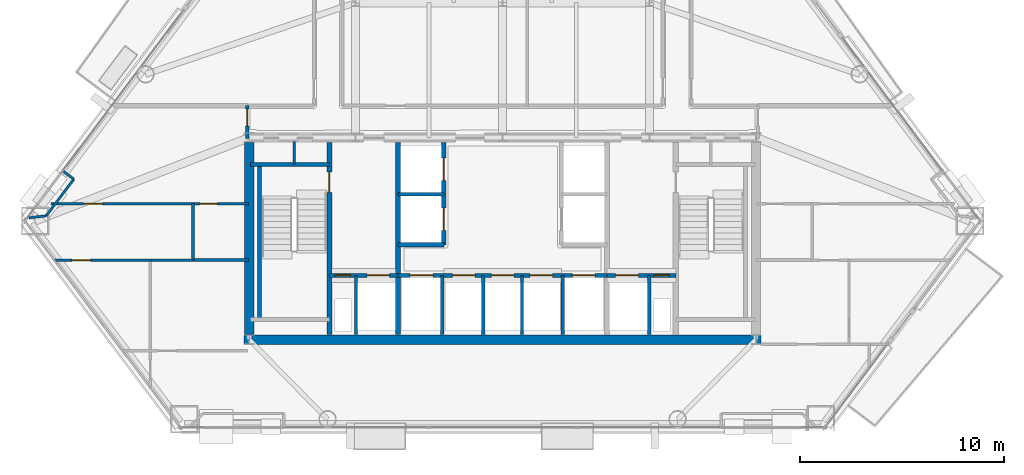
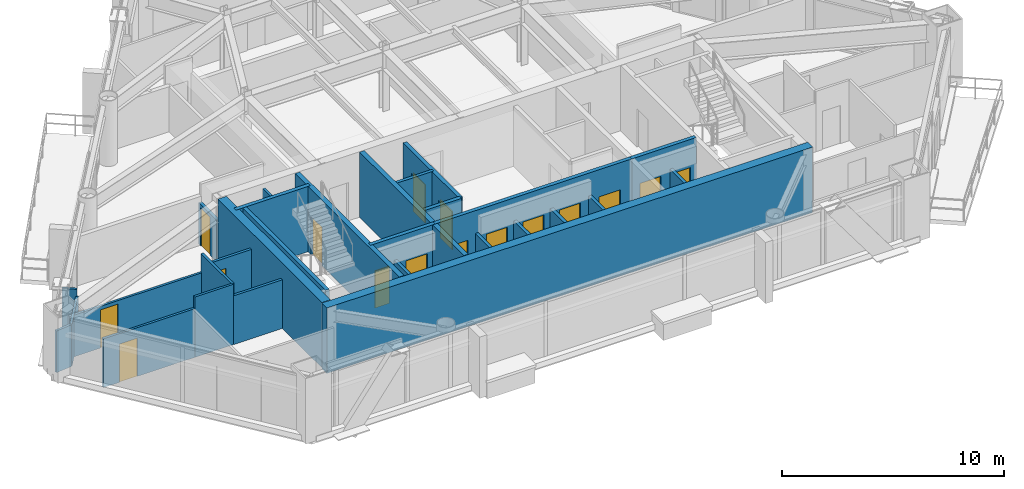
# One storey, part 9 of 14: 29 walls, 16 doors, 16 openings.
"""IFC4 building model written with IfcOpenShell, lengths in metres."""

from ifc_helpers import new_model, si_unit, direction, frame, frame_2d, origin, place, context, subcontext, project, spatial, rectangle, extrude, material, layer, layer_set, type_object, element, fill, save


model = new_model("IFC4")

# Units and contexts
model_context = context("Model", 3, precision=1e-05, world=origin(), true_north=direction((0.0, 1.0)))
body_context = subcontext(model_context, "Body", "Model", "MODEL_VIEW")
ifc_project = project(units=[si_unit("LENGTHUNIT", "METRE"), si_unit("AREAUNIT", "SQUARE_METRE"), si_unit("VOLUMEUNIT", "CUBIC_METRE"), si_unit("PLANEANGLEUNIT", "RADIAN"), si_unit("MASSUNIT", "GRAM", prefix="KILO")], contexts=[model_context])

# Site, building, storey
site_placement = place(None, origin())
site = spatial("IfcSite", under=ifc_project, at=site_placement, CompositionType="ELEMENT")
building_placement = place(site_placement, origin())
building = spatial("IfcBuilding", under=site, at=building_placement, Name="Talgorran Terracotta Tower", CompositionType="ELEMENT")
storey_placement = place(building_placement, frame((0.0, 0.0, 56.699951171875)))
storey = spatial("IfcBuildingStorey", under=building, at=storey_placement, Name="L14", CompositionType="ELEMENT", Elevation=56.699951171875)

# Walls
ifc_material_1 = material(Name="Concrete C50/60", Category="concrete")
ifc_layer_1 = layer(ifc_material_1, 0.199951171875, Name="WT_CORE_200")
ifc_layer_set_1 = layer_set([ifc_layer_1], Name="Concrete C50/60")
wall_type_1 = type_object("IfcWallType", Name="WT_CORE_200", PredefinedType="SOLIDWALL", material=ifc_layer_set_1)
wall_1_placement = place(storey_placement, frame((-12.35009765625, -5.52001953125, 0.0), z_axis=(0.0, 0.0, 1.0), x_axis=(1.0, 0.0, 0.0)))
element("IfcWall", 1, at=wall_1_placement, inside=storey, type_object=wall_type_1, Name="WL-L14-CW-ST1-N", PredefinedType="SOLIDWALL", context=body_context, shape_type="SweptSolid", body=[
    extrude(rectangle(XDim=3.8701171875, YDim=0.199951171875, at=frame_2d((1.93505859375, 0.0))), origin(), (0.0, 0.0, 1.0), 3.60009765625),
])
wall_2_placement = place(storey_placement, frame((-11.89990234375, -13.10009765625, 0.0), z_axis=(0.0, 0.0, 1.0), x_axis=(0.0, 1.0, 0.0)))
element("IfcWall", 2, at=wall_2_placement, inside=storey, type_object=wall_type_1, Name="WL-L14-CW-ST1-W", PredefinedType="SOLIDWALL", context=body_context, shape_type="SweptSolid", body=[
    extrude(rectangle(XDim=7.580078125, YDim=0.199951171875, at=frame_2d((3.7900390625, 0.0))), origin(), (0.0, 0.0, 1.0), 3.60009765625),
])

# Wall, openings, doors
wall_3_placement = place(storey_placement, frame((-8.47998046875, -10.949951171875, 0.0), z_axis=(0.0, 0.0, 1.0), x_axis=(1.0, 0.0, 0.0)))
wall_3 = element("IfcWall", 3, at=wall_3_placement, inside=storey, type_object=wall_type_1, Name="WL-L14-CW-H-SBW", PredefinedType="SOLIDWALL", context=body_context, shape_type="SweptSolid", body=[
    extrude(rectangle(XDim=3.35986328125, YDim=0.199951171875, at=frame_2d((1.679931640625, 0.0))), origin(), (0.0, 0.0, 1.0), 3.60009765625),
])
opening_1_placement = place(wall_3_placement, frame((0.280029296875, 0.0, 0.0)))
opening_1 = element("IfcOpeningElement", 4, at=opening_1_placement, cuts=wall_3, Name="Opening DR-RSW", PredefinedType="OPENING", context=body_context, shape_type="SweptSolid", body=[
    extrude(rectangle(XDim=0.756, YDim=2.054048828125, at=frame_2d((0.375, 1.027099609375))), frame((0.0, 0.10986328125, 0.0), z_axis=(0.0, -1.0, 0.0), x_axis=(1.0, 0.0, 0.0)), (0.0, 0.0, 1.0), 0.219970703125),
])
opening_2_placement = place(wall_3_placement, frame((1.85009765625, 0.0, 0.0)))
opening_2 = element("IfcOpeningElement", 5, at=opening_2_placement, cuts=wall_3, Name="Opening LD-FFL1", PredefinedType="OPENING", context=body_context, shape_type="SweptSolid", body=[
    extrude(rectangle(XDim=1.10609765625, YDim=2.10409765625, at=frame_2d((0.550048828125, 1.052001953125))), frame((0.0, 0.10986328125, 0.0), z_axis=(0.0, -1.0, 0.0), x_axis=(1.0, 0.0, 0.0)), (0.0, 0.0, 1.0), 0.219970703125),
])
ifc_material_2 = material(Name="Brushed Stainless Steel Grade 304", Category="steel")
door_type_1 = type_object("IfcDoorType", Name="DT_LIFT_LD1100", OperationType="DOUBLE_DOOR_SLIDING", PredefinedType="DOOR", material=ifc_material_2)
door_1_placement = place(opening_2_placement, origin())
door_1 = element("IfcDoor", 6, at=door_1_placement, inside=storey, type_object=door_type_1, Name="L14 Lift Landing Door LD-FFL1", OperationType="DOUBLE_DOOR_SLIDING", OverallHeight=2.10009765625, OverallWidth=1.10009765625, PredefinedType="DOOR", context=body_context, shape_type="SweptSolid", body=[
    extrude(rectangle(XDim=1.10009765625, YDim=2.10009765625, at=frame_2d((0.550048828125, 1.050048828125))), frame((0.0, 0.02490234375, 0.0), z_axis=(0.0, -1.0, 0.0), x_axis=(1.0, 0.0, 0.0)), (0.0, 0.0, 1.0), 0.050048828125),
])
fill(opening_2, door_1)
ifc_material_3 = material(Name="Fire-Rated Pressed Steel", Category="steel")
door_type_2 = type_object("IfcDoorType", Name="DT_RISER_750", OperationType="NOTDEFINED", PredefinedType="DOOR", material=ifc_material_3)
door_2_placement = place(opening_1_placement, origin())
door_2 = element("IfcDoor", 7, at=door_2_placement, inside=storey, type_object=door_type_2, Name="DR-RSW", OperationType="SINGLE_SWING_LEFT", OverallHeight=2.050048828125, OverallWidth=0.75, PredefinedType="DOOR", context=body_context, shape_type="SweptSolid", body=[
    extrude(rectangle(XDim=0.75, YDim=2.050048828125, at=frame_2d((0.375, 1.02490234375))), frame((0.0, 0.02490234375, 0.0), z_axis=(0.0, -1.0, 0.0), x_axis=(1.0, 0.0, 0.0)), (0.0, 0.0, 1.0), 0.050048828125),
])
fill(opening_1, door_2)

wall_4_placement = place(storey_placement, frame((-5.1201171875, -10.949951171875, 0.0), z_axis=(0.0, 0.0, 1.0), x_axis=(1.0, 0.0, 0.0)))
wall_4 = element("IfcWall", 8, at=wall_4_placement, inside=storey, type_object=wall_type_1, Name="WL-L14-CW-H-SBC", PredefinedType="SOLIDWALL", context=body_context, shape_type="SweptSolid", body=[
    extrude(rectangle(XDim=10.240234375, YDim=0.199951171875, at=frame_2d((5.1201171875, 0.0))), origin(), (0.0, 0.0, 1.0), 3.60009765625),
])
opening_3_placement = place(wall_4_placement, frame((0.60009765625, 0.0, 0.0)))
opening_3 = element("IfcOpeningElement", 9, at=opening_3_placement, cuts=wall_4, Name="Opening LD-OB1", PredefinedType="OPENING", context=body_context, shape_type="SweptSolid", body=[
    extrude(rectangle(XDim=1.10609765625, YDim=2.10409765625, at=frame_2d((0.550048828125, 1.052001953125))), frame((0.0, 0.10986328125, 0.0), z_axis=(0.0, -1.0, 0.0), x_axis=(1.0, 0.0, 0.0)), (0.0, 0.0, 1.0), 0.219970703125),
])
opening_4_placement = place(wall_4_placement, frame((2.669921875, 0.0, 0.0)))
opening_4 = element("IfcOpeningElement", 10, at=opening_4_placement, cuts=wall_4, Name="Opening LD-PLH1", PredefinedType="OPENING", context=body_context, shape_type="SweptSolid", body=[
    extrude(rectangle(XDim=1.10609765625, YDim=2.10409765625, at=frame_2d((0.550048828125, 1.052001953125))), frame((0.0, 0.10986328125, 0.0), z_axis=(0.0, -1.0, 0.0), x_axis=(1.0, 0.0, 0.0)), (0.0, 0.0, 1.0), 0.219970703125),
])
opening_5_placement = place(wall_4_placement, frame((4.570068359375, 0.0, 0.0)))
opening_5 = element("IfcOpeningElement", 11, at=opening_5_placement, cuts=wall_4, Name="Opening LD-PLH2", PredefinedType="OPENING", context=body_context, shape_type="SweptSolid", body=[
    extrude(rectangle(XDim=1.10609765625, YDim=2.10409765625, at=frame_2d((0.550048828125, 1.052001953125))), frame((0.0, 0.10986328125, 0.0), z_axis=(0.0, -1.0, 0.0), x_axis=(1.0, 0.0, 0.0)), (0.0, 0.0, 1.0), 0.219970703125),
])
opening_6_placement = place(wall_4_placement, frame((6.469970703125, 0.0, 0.0)))
opening_6 = element("IfcOpeningElement", 12, at=opening_6_placement, cuts=wall_4, Name="Opening LD-PLH3", PredefinedType="OPENING", context=body_context, shape_type="SweptSolid", body=[
    extrude(rectangle(XDim=1.10609765625, YDim=2.10409765625, at=frame_2d((0.550048828125, 1.052001953125))), frame((0.0, 0.10986328125, 0.0), z_axis=(0.0, -1.0, 0.0), x_axis=(1.0, 0.0, 0.0)), (0.0, 0.0, 1.0), 0.219970703125),
])
opening_7_placement = place(wall_4_placement, frame((8.5400390625, 0.0, 0.0)))
opening_7 = element("IfcOpeningElement", 13, at=opening_7_placement, cuts=wall_4, Name="Opening LD-SVL1", PredefinedType="OPENING", context=body_context, shape_type="SweptSolid", body=[
    extrude(rectangle(XDim=1.10609765625, YDim=2.10409765625, at=frame_2d((0.550048828125, 1.052001953125))), frame((0.0, 0.10986328125, 0.0), z_axis=(0.0, -1.0, 0.0), x_axis=(1.0, 0.0, 0.0)), (0.0, 0.0, 1.0), 0.219970703125),
])
door_3_placement = place(opening_3_placement, origin())
door_3 = element("IfcDoor", 14, at=door_3_placement, inside=storey, type_object=door_type_1, Name="L14 Lift Landing Door LD-OB1", OperationType="DOUBLE_DOOR_SLIDING", OverallHeight=2.10009765625, OverallWidth=1.10009765625, PredefinedType="DOOR", context=body_context, shape_type="SweptSolid", body=[
    extrude(rectangle(XDim=1.10009765625, YDim=2.10009765625, at=frame_2d((0.550048828125, 1.050048828125))), frame((0.0, 0.02490234375, 0.0), z_axis=(0.0, -1.0, 0.0), x_axis=(1.0, 0.0, 0.0)), (0.0, 0.0, 1.0), 0.050048828125),
])
fill(opening_3, door_3)
door_4_placement = place(opening_4_placement, origin())
door_4 = element("IfcDoor", 15, at=door_4_placement, inside=storey, type_object=door_type_1, Name="L14 Lift Landing Door LD-PLH1", OperationType="DOUBLE_DOOR_SLIDING", OverallHeight=2.10009765625, OverallWidth=1.10009765625, PredefinedType="DOOR", context=body_context, shape_type="SweptSolid", body=[
    extrude(rectangle(XDim=1.10009765625, YDim=2.10009765625, at=frame_2d((0.550048828125, 1.050048828125))), frame((0.0, 0.02490234375, 0.0), z_axis=(0.0, -1.0, 0.0), x_axis=(1.0, 0.0, 0.0)), (0.0, 0.0, 1.0), 0.050048828125),
])
fill(opening_4, door_4)
door_5_placement = place(opening_5_placement, origin())
door_5 = element("IfcDoor", 16, at=door_5_placement, inside=storey, type_object=door_type_1, Name="L14 Lift Landing Door LD-PLH2", OperationType="DOUBLE_DOOR_SLIDING", OverallHeight=2.10009765625, OverallWidth=1.10009765625, PredefinedType="DOOR", context=body_context, shape_type="SweptSolid", body=[
    extrude(rectangle(XDim=1.10009765625, YDim=2.10009765625, at=frame_2d((0.550048828125, 1.050048828125))), frame((0.0, 0.02490234375, 0.0), z_axis=(0.0, -1.0, 0.0), x_axis=(1.0, 0.0, 0.0)), (0.0, 0.0, 1.0), 0.050048828125),
])
fill(opening_5, door_5)
door_6_placement = place(opening_6_placement, origin())
door_6 = element("IfcDoor", 17, at=door_6_placement, inside=storey, type_object=door_type_1, Name="L14 Lift Landing Door LD-PLH3", OperationType="DOUBLE_DOOR_SLIDING", OverallHeight=2.10009765625, OverallWidth=1.10009765625, PredefinedType="DOOR", context=body_context, shape_type="SweptSolid", body=[
    extrude(rectangle(XDim=1.10009765625, YDim=2.10009765625, at=frame_2d((0.550048828125, 1.050048828125))), frame((0.0, 0.02490234375, 0.0), z_axis=(0.0, -1.0, 0.0), x_axis=(1.0, 0.0, 0.0)), (0.0, 0.0, 1.0), 0.050048828125),
])
fill(opening_6, door_6)
door_7_placement = place(opening_7_placement, origin())
door_7 = element("IfcDoor", 18, at=door_7_placement, inside=storey, type_object=door_type_1, Name="L14 Lift Landing Door LD-SVL1", OperationType="DOUBLE_DOOR_SLIDING", OverallHeight=2.10009765625, OverallWidth=1.10009765625, PredefinedType="DOOR", context=body_context, shape_type="SweptSolid", body=[
    extrude(rectangle(XDim=1.10009765625, YDim=2.10009765625, at=frame_2d((0.550048828125, 1.050048828125))), frame((0.0, 0.02490234375, 0.0), z_axis=(0.0, -1.0, 0.0), x_axis=(1.0, 0.0, 0.0)), (0.0, 0.0, 1.0), 0.050048828125),
])
fill(opening_7, door_7)

wall_5_placement = place(storey_placement, frame((5.1201171875, -10.949951171875, 0.0), z_axis=(0.0, 0.0, 1.0), x_axis=(1.0, 0.0, 0.0)))
wall_5 = element("IfcWall", 19, at=wall_5_placement, inside=storey, type_object=wall_type_1, Name="WL-L14-CW-H-SBE", PredefinedType="SOLIDWALL", context=body_context, shape_type="SweptSolid", body=[
    extrude(rectangle(XDim=3.35986328125, YDim=0.199951171875, at=frame_2d((1.679931640625, 0.0))), origin(), (0.0, 0.0, 1.0), 3.60009765625),
])
opening_8_placement = place(wall_5_placement, frame((0.419921875, 0.0, 0.0)))
opening_8 = element("IfcOpeningElement", 20, at=opening_8_placement, cuts=wall_5, Name="Opening LD-FFL2", PredefinedType="OPENING", context=body_context, shape_type="SweptSolid", body=[
    extrude(rectangle(XDim=1.10609765625, YDim=2.10409765625, at=frame_2d((0.550048828125, 1.052001953125))), frame((0.0, 0.10986328125, 0.0), z_axis=(0.0, -1.0, 0.0), x_axis=(1.0, 0.0, 0.0)), (0.0, 0.0, 1.0), 0.219970703125),
])
opening_9_placement = place(wall_5_placement, frame((2.300048828125, 0.0, 0.0)))
opening_9 = element("IfcOpeningElement", 21, at=opening_9_placement, cuts=wall_5, Name="Opening DR-RSE", PredefinedType="OPENING", context=body_context, shape_type="SweptSolid", body=[
    extrude(rectangle(XDim=0.756, YDim=2.054048828125, at=frame_2d((0.375, 1.027099609375))), frame((0.0, 0.10986328125, 0.0), z_axis=(0.0, -1.0, 0.0), x_axis=(1.0, 0.0, 0.0)), (0.0, 0.0, 1.0), 0.219970703125),
])
door_8_placement = place(opening_8_placement, origin())
door_8 = element("IfcDoor", 22, at=door_8_placement, inside=storey, type_object=door_type_1, Name="L14 Lift Landing Door LD-FFL2", OperationType="DOUBLE_DOOR_SLIDING", OverallHeight=2.10009765625, OverallWidth=1.10009765625, PredefinedType="DOOR", context=body_context, shape_type="SweptSolid", body=[
    extrude(rectangle(XDim=1.10009765625, YDim=2.10009765625, at=frame_2d((0.550048828125, 1.050048828125))), frame((0.0, 0.02490234375, 0.0), z_axis=(0.0, -1.0, 0.0), x_axis=(1.0, 0.0, 0.0)), (0.0, 0.0, 1.0), 0.050048828125),
])
fill(opening_8, door_8)
door_9_placement = place(opening_9_placement, origin())
door_9 = element("IfcDoor", 23, at=door_9_placement, inside=storey, type_object=door_type_2, Name="DR-RSE", OperationType="SINGLE_SWING_RIGHT", OverallHeight=2.050048828125, OverallWidth=0.75, PredefinedType="DOOR", context=body_context, shape_type="SweptSolid", body=[
    extrude(rectangle(XDim=0.75, YDim=2.050048828125, at=frame_2d((0.375, 1.02490234375))), frame((0.0, 0.02490234375, 0.0), z_axis=(0.0, -1.0, 0.0), x_axis=(1.0, 0.0, 0.0)), (0.0, 0.0, 1.0), 0.050048828125),
])
fill(opening_9, door_9)

wall_6_placement = place(storey_placement, frame((-2.8798828125, -9.449951171875, 0.0), z_axis=(0.0, 0.0, 1.0), x_axis=(0.0, 1.0, 0.0)))
wall_6 = element("IfcWall", 24, at=wall_6_placement, inside=storey, type_object=wall_type_1, Name="WL-L14-CW-V-W3", PredefinedType="SOLIDWALL", context=body_context, shape_type="SweptSolid", body=[
    extrude(rectangle(XDim=5.0, YDim=0.199951171875, at=frame_2d((2.5, 0.0))), origin(), (0.0, 0.0, 1.0), 3.320068359375),
])
opening_10_placement = place(wall_6_placement, frame((0.699951171875, 0.0, 0.0)))
opening_10 = element("IfcOpeningElement", 25, at=opening_10_placement, cuts=wall_6, Name="Opening LD-PLL1", PredefinedType="OPENING", context=body_context, shape_type="SweptSolid", body=[
    extrude(rectangle(XDim=1.10609765625, YDim=2.10409765625, at=frame_2d((0.550048828125, 1.052001953125))), frame((0.0, 0.10986328125, 0.0), z_axis=(0.0, -1.0, 0.0), x_axis=(1.0, 0.0, 0.0)), (0.0, 0.0, 1.0), 0.219970703125),
])
opening_11_placement = place(wall_6_placement, frame((3.14990234375, 0.0, 0.0)))
opening_11 = element("IfcOpeningElement", 26, at=opening_11_placement, cuts=wall_6, Name="Opening LD-PLL2", PredefinedType="OPENING", context=body_context, shape_type="SweptSolid", body=[
    extrude(rectangle(XDim=1.10609765625, YDim=2.10409765625, at=frame_2d((0.550048828125, 1.052001953125))), frame((0.0, 0.10986328125, 0.0), z_axis=(0.0, -1.0, 0.0), x_axis=(1.0, 0.0, 0.0)), (0.0, 0.0, 1.0), 0.219970703125),
])
door_10_placement = place(opening_10_placement, origin())
door_10 = element("IfcDoor", 27, at=door_10_placement, inside=storey, type_object=door_type_1, Name="L14 Lift Landing Door LD-PLL1", OperationType="DOUBLE_DOOR_SLIDING", OverallHeight=2.10009765625, OverallWidth=1.10009765625, PredefinedType="DOOR", context=body_context, shape_type="SweptSolid", body=[
    extrude(rectangle(XDim=1.10009765625, YDim=2.10009765625, at=frame_2d((0.550048828125, 1.050048828125))), frame((0.0, 0.02490234375, 0.0), z_axis=(0.0, -1.0, 0.0), x_axis=(1.0, 0.0, 0.0)), (0.0, 0.0, 1.0), 0.050048828125),
])
fill(opening_10, door_10)
door_11_placement = place(opening_11_placement, origin())
door_11 = element("IfcDoor", 28, at=door_11_placement, inside=storey, type_object=door_type_1, Name="L14 Lift Landing Door LD-PLL2", OperationType="DOUBLE_DOOR_SLIDING", OverallHeight=2.10009765625, OverallWidth=1.10009765625, PredefinedType="DOOR", context=body_context, shape_type="SweptSolid", body=[
    extrude(rectangle(XDim=1.10009765625, YDim=2.10009765625, at=frame_2d((0.550048828125, 1.050048828125))), frame((0.0, 0.02490234375, 0.0), z_axis=(0.0, -1.0, 0.0), x_axis=(1.0, 0.0, 0.0)), (0.0, 0.0, 1.0), 0.050048828125),
])
fill(opening_11, door_11)

# Wall
wall_7_placement = place(storey_placement, frame((-5.1201171875, -9.449951171875, 0.0), z_axis=(0.0, 0.0, 1.0), x_axis=(1.0, 0.0, 0.0)))
element("IfcWall", 29, at=wall_7_placement, inside=storey, type_object=wall_type_1, Name="WL-L14-CW-H-W4", PredefinedType="SOLIDWALL", context=body_context, shape_type="SweptSolid", body=[
    extrude(rectangle(XDim=2.240234375, YDim=0.199951171875, at=frame_2d((1.1201171875, 0.0))), origin(), (0.0, 0.0, 1.0), 3.320068359375),
])

# Wall, opening, door
ifc_layer_2 = layer(ifc_material_1, 0.25, Name="WT_CORE_250")
ifc_layer_set_2 = layer_set([ifc_layer_2], Name="Concrete C50/60")
wall_type_2 = type_object("IfcWallType", Name="WT_CORE_250", PredefinedType="SHEAR", material=ifc_layer_set_2)
wall_8_placement = place(storey_placement, frame((-8.47998046875, -13.85009765625, 0.0), z_axis=(0.0, 0.0, 1.0), x_axis=(0.0, 1.0, 0.0)))
wall_8 = element("IfcWall", 30, at=wall_8_placement, inside=storey, type_object=wall_type_2, Name="WL-L14-CW-V-W1", PredefinedType="SHEAR", context=body_context, shape_type="SweptSolid", body=[
    extrude(rectangle(XDim=9.400146484375, YDim=0.25, at=frame_2d((4.7001953125, 0.0))), origin(), (0.0, 0.0, 1.0), 3.60009765625),
])
opening_12_placement = place(wall_8_placement, frame((6.949951171875, 0.0, 0.0)))
opening_12 = element("IfcOpeningElement", 31, at=opening_12_placement, cuts=wall_8, Name="Opening DR-ST01", PredefinedType="OPENING", context=body_context, shape_type="SweptSolid", body=[
    extrude(rectangle(XDim=1.006, YDim=2.10409765625, at=frame_2d((0.5, 1.052001953125))), frame((0.0, 0.135009765625, 0.0), z_axis=(0.0, -1.0, 0.0), x_axis=(1.0, 0.0, 0.0)), (0.0, 0.0, 1.0), 0.27001953125),
])
door_type_3 = type_object("IfcDoorType", Name="DT_FIRE_1000", OperationType="NOTDEFINED", PredefinedType="DOOR", material=ifc_material_3)
door_12_placement = place(opening_12_placement, origin())
door_12 = element("IfcDoor", 32, at=door_12_placement, inside=storey, type_object=door_type_3, Name="DR-ST01", OperationType="SINGLE_SWING_LEFT", OverallHeight=2.10009765625, OverallWidth=1.0, PredefinedType="DOOR", context=body_context, shape_type="SweptSolid", body=[
    extrude(rectangle(XDim=1.0, YDim=2.10009765625, at=frame_2d((0.5, 1.050048828125))), frame((0.0, 0.02490234375, 0.0), z_axis=(0.0, -1.0, 0.0), x_axis=(1.0, 0.0, 0.0)), (0.0, 0.0, 1.0), 0.050048828125),
])
fill(opening_12, door_12)

# Walls
wall_9_placement = place(storey_placement, frame((-5.1201171875, -13.85009765625, 0.0), z_axis=(0.0, 0.0, 1.0), x_axis=(0.0, 1.0, 0.0)))
element("IfcWall", 33, at=wall_9_placement, inside=storey, type_object=wall_type_2, Name="WL-L14-CW-V-W2", PredefinedType="SHEAR", context=body_context, shape_type="SweptSolid", body=[
    extrude(rectangle(XDim=9.400146484375, YDim=0.25, at=frame_2d((4.7001953125, 0.0))), origin(), (0.0, 0.0, 1.0), 3.60009765625),
])
ifc_material_4 = material(Name="Concrete C65/80", Category="concrete")
ifc_layer_3 = layer(ifc_material_4, 0.449951171875, Name="WT_CORE_EXT")
ifc_layer_set_3 = layer_set([ifc_layer_3], Name="Concrete C65/80")
wall_type_3 = type_object("IfcWallType", Name="WT_CORE_EXT", PredefinedType="SHEAR", material=ifc_layer_set_3)
wall_10_placement = place(storey_placement, frame((-12.64990234375, -14.10009765625, 0.0), z_axis=(0.0, 0.0, 1.0), x_axis=(1.0, 0.0, 0.0)))
element("IfcWall", 34, at=wall_10_placement, inside=storey, type_object=wall_type_3, Name="WL-L14-CW-OUT-S", PredefinedType="SHEAR", context=body_context, shape_type="SweptSolid", body=[
    extrude(rectangle(XDim=25.2998046875, YDim=0.449951171875, at=frame_2d((12.64990234375, 0.0))), origin(), (0.0, 0.0, 1.0), 3.60009765625),
])
wall_11_placement = place(storey_placement, frame((-12.39990234375, -13.85009765625, 0.0), z_axis=(0.0, 0.0, 1.0), x_axis=(0.0, 1.0, 0.0)))
element("IfcWall", 35, at=wall_11_placement, inside=storey, type_object=wall_type_3, Name="WL-L14-CW-OUT-W", PredefinedType="SHEAR", context=body_context, shape_type="SweptSolid", body=[
    extrude(rectangle(XDim=9.400146484375, YDim=0.449951171875, at=frame_2d((4.7001953125, 0.0))), origin(), (0.0, 0.0, 1.0), 3.60009765625),
])

# Wall, opening, door
ifc_material_5 = material(Name="Fire-Rated Steel Stud Plasterboard", Category="steel")
ifc_layer_4 = layer(ifc_material_5, 0.14990234375, Name="WT_FIRE_150")
ifc_layer_set_4 = layer_set([ifc_layer_4], Name="Fire-Rated Steel Stud Plasterboard")
wall_type_4 = type_object("IfcWallType", Name="WT_FIRE_150", PredefinedType="PARTITIONING", material=ifc_layer_set_4)
wall_12_placement = place(storey_placement, frame((-12.5, -4.239990234375, 0.0), z_axis=(0.0, 0.0, 1.0), x_axis=(0.0, 1.0, 0.0)))
wall_12 = element("IfcWall", 36, at=wall_12_placement, inside=storey, type_object=wall_type_4, Name="WL-L14-W-L14-R01", PredefinedType="PARTITIONING", context=body_context, shape_type="SweptSolid", body=[
    extrude(rectangle(XDim=1.60009765625, YDim=0.14990234375, at=frame_2d((0.800048828125, 0.0))), origin(), (0.0, 0.0, 1.0), 2.295166015625),
])
opening_13_placement = place(wall_12_placement, frame((0.602294921875, 0.0, 0.0)))
opening_13 = element("IfcOpeningElement", 37, at=opening_13_placement, cuts=wall_12, Name="Opening DR-L14-R01", PredefinedType="OPENING", context=body_context, shape_type="SweptSolid", body=[
    extrude(rectangle(XDim=0.826068359375, YDim=2.10409765625, at=frame_2d((0.41015625, 1.052001953125))), frame((0.0, 0.0849609375, 0.0), z_axis=(0.0, -1.0, 0.0), x_axis=(1.0, 0.0, 0.0)), (0.0, 0.0, 1.0), 0.169921875),
])
ifc_material_6 = material(Name="Moisture-Resistant Solid Timber", Category="wood")
door_type_4 = type_object("IfcDoorType", Name="DT_INT_820", OperationType="NOTDEFINED", PredefinedType="DOOR", material=ifc_material_6)
door_13_placement = place(opening_13_placement, origin())
door_13 = element("IfcDoor", 38, at=door_13_placement, inside=storey, type_object=door_type_4, Name="DR-L14-R01", OperationType="SINGLE_SWING_LEFT", OverallHeight=2.10009765625, OverallWidth=0.820068359375, PredefinedType="DOOR", context=body_context, shape_type="SweptSolid", body=[
    extrude(rectangle(XDim=0.820068359375, YDim=2.10009765625, at=frame_2d((0.41015625, 1.050048828125))), frame((0.0, 0.02490234375, 0.0), z_axis=(0.0, -1.0, 0.0), x_axis=(1.0, 0.0, 0.0)), (0.0, 0.0, 1.0), 0.050048828125),
])
fill(opening_13, door_13)

# Wall
ifc_material_7 = material(Name="Insulated Steel Stud Plasterboard", Category="steel")
ifc_layer_5 = layer(ifc_material_7, 0.1201171875, Name="WT_PART_120")
ifc_layer_set_5 = layer_set([ifc_layer_5], Name="Insulated Steel Stud Plasterboard")
wall_type_5 = type_object("IfcWallType", Name="WT_PART_120", PredefinedType="PARTITIONING", material=ifc_layer_set_5)
wall_13_placement = place(storey_placement, frame((-10.199951171875, -5.52001953125, 0.0), z_axis=(0.0, 0.0, 1.0), x_axis=(0.0, 1.0, 0.0)))
element("IfcWall", 39, at=wall_13_placement, inside=storey, type_object=wall_type_5, Name="WL-L14-CW-CSW-DIV", PredefinedType="PARTITIONING", context=body_context, shape_type="SweptSolid", body=[
    extrude(rectangle(XDim=1.1201171875, YDim=0.1201171875, at=frame_2d((0.56005859375, 0.0))), origin(), (0.0, 0.0, 1.0), 3.320068359375),
])

# Wall, opening, door
wall_14_placement = place(storey_placement, frame((-22.1201171875, -7.43994140625, 0.0), z_axis=(0.0, 0.0, 1.0), x_axis=(1.0, 0.0, 0.0)))
wall_14 = element("IfcWall", 40, at=wall_14_placement, inside=storey, type_object=wall_type_5, Name="WL-L14-W-L14-R18", PredefinedType="PARTITIONING", context=body_context, shape_type="SweptSolid", body=[
    extrude(rectangle(XDim=7.0400390625, YDim=0.1201171875, at=frame_2d((3.52001953125, 0.0))), origin(), (0.0, 0.0, 1.0), 2.295166015625),
])
opening_14_placement = place(wall_14_placement, frame((1.615478515625, 0.0, 0.0)))
opening_14 = element("IfcOpeningElement", 41, at=opening_14_placement, cuts=wall_14, Name="Opening DR-L14-R03", PredefinedType="OPENING", context=body_context, shape_type="SweptSolid", body=[
    extrude(rectangle(XDim=0.925921875, YDim=2.10409765625, at=frame_2d((0.4599609375, 1.052001953125))), frame((0.0, 0.070068359375, 0.0), z_axis=(0.0, -1.0, 0.0), x_axis=(1.0, 0.0, 0.0)), (0.0, 0.0, 1.0), 0.14013671875),
])
ifc_material_8 = material(Name="Solid-Core Painted Timber", Category="wood")
door_type_5 = type_object("IfcDoorType", Name="DT_INT_920", OperationType="NOTDEFINED", PredefinedType="DOOR", material=ifc_material_8)
door_14_placement = place(opening_14_placement, origin())
door_14 = element("IfcDoor", 42, at=door_14_placement, inside=storey, type_object=door_type_5, Name="DR-L14-R03", OperationType="SINGLE_SWING_LEFT", OverallHeight=2.10009765625, OverallWidth=0.919921875, PredefinedType="DOOR", context=body_context, shape_type="SweptSolid", body=[
    extrude(rectangle(XDim=0.919921875, YDim=2.10009765625, at=frame_2d((0.4599609375, 1.050048828125))), frame((0.0, 0.02490234375, 0.0), z_axis=(0.0, -1.0, 0.0), x_axis=(1.0, 0.0, 0.0)), (0.0, 0.0, 1.0), 0.050048828125),
])
fill(opening_14, door_14)

wall_15_placement = place(storey_placement, frame((-21.945556640625, -10.199951171875, 0.0), z_axis=(0.0, 0.0, 1.0), x_axis=(1.0, 0.0, 0.0)))
wall_15 = element("IfcWall", 43, at=wall_15_placement, inside=storey, type_object=wall_type_5, Name="WL-L14-W-L14-R22", PredefinedType="PARTITIONING", context=body_context, shape_type="SweptSolid", body=[
    extrude(rectangle(XDim=4.765625, YDim=0.1201171875, at=frame_2d((2.3828125, 0.0))), origin(), (0.0, 0.0, 1.0), 2.683349609375),
])
opening_15_placement = place(wall_15_placement, frame((0.85693359375, 0.0, 0.0)))
opening_15 = element("IfcOpeningElement", 44, at=opening_15_placement, cuts=wall_15, Name="Opening DR-L14-R04", PredefinedType="OPENING", context=body_context, shape_type="SweptSolid", body=[
    extrude(rectangle(XDim=0.925921875, YDim=2.10409765625, at=frame_2d((0.4599609375, 1.052001953125))), frame((0.0, 0.070068359375, 0.0), z_axis=(0.0, -1.0, 0.0), x_axis=(1.0, 0.0, 0.0)), (0.0, 0.0, 1.0), 0.14013671875),
])
door_15_placement = place(opening_15_placement, origin())
door_15 = element("IfcDoor", 45, at=door_15_placement, inside=storey, type_object=door_type_5, Name="DR-L14-R04", OperationType="SINGLE_SWING_RIGHT", OverallHeight=2.10009765625, OverallWidth=0.919921875, PredefinedType="DOOR", context=body_context, shape_type="SweptSolid", body=[
    extrude(rectangle(XDim=0.919921875, YDim=2.10009765625, at=frame_2d((0.4599609375, 1.050048828125))), frame((0.0, 0.02490234375, 0.0), z_axis=(0.0, -1.0, 0.0), x_axis=(1.0, 0.0, 0.0)), (0.0, 0.0, 1.0), 0.050048828125),
])
fill(opening_15, door_15)

# Walls
wall_16_placement = place(storey_placement, frame((-20.99365234375, -6.2392578125, 0.0), z_axis=(0.0, 0.0, 1.0), x_axis=(-0.601407243549, -0.798942630861, 0.0)))
element("IfcWall", 46, at=wall_16_placement, inside=storey, type_object=wall_type_5, Name="WL-L14-BW-L14-08", PredefinedType="PARTITIONING", context=body_context, shape_type="SweptSolid", body=[
    extrude(rectangle(XDim=2.246826171875, YDim=0.1201171875, at=frame_2d((1.12353515625, 0.0))), origin(), (0.0, 0.0, 1.0), 2.295166015625),
])
wall_17_placement = place(storey_placement, frame((-17.177978515625, -10.199951171875, 0.0), z_axis=(0.0, 0.0, 1.0), x_axis=(1.0, 0.0, 0.0)))
element("IfcWall", 47, at=wall_17_placement, inside=storey, type_object=wall_type_5, Name="WL-L14-W-L14-R23", PredefinedType="PARTITIONING", context=body_context, shape_type="SweptSolid", body=[
    extrude(rectangle(XDim=2.01806640625, YDim=0.1201171875, at=frame_2d((1.009033203125, 0.0))), origin(), (0.0, 0.0, 1.0), 3.320068359375),
])
wall_18_placement = place(storey_placement, frame((-22.344970703125, -8.034423828125, 0.0), z_axis=(0.0, 0.0, 1.0), x_axis=(-0.993721326988, -0.111883530014, 0.0)))
element("IfcWall", 48, at=wall_18_placement, inside=storey, type_object=wall_type_5, Name="WL-L14-BW-L14-09", PredefinedType="PARTITIONING", context=body_context, shape_type="SweptSolid", body=[
    extrude(rectangle(XDim=0.848876953125, YDim=0.1201171875, at=frame_2d((0.42431640625, 0.0))), origin(), (0.0, 0.0, 1.0), 2.295166015625),
])
wall_19_placement = place(storey_placement, frame((-21.52880859375, -5.836181640625, 0.0), z_axis=(0.0, 0.0, 1.0), x_axis=(0.798773936271, -0.601631281379, 0.0)))
element("IfcWall", 49, at=wall_19_placement, inside=storey, type_object=wall_type_5, Name="WL-L14-BW-L14-07", PredefinedType="PARTITIONING", context=body_context, shape_type="SweptSolid", body=[
    extrude(rectangle(XDim=0.669921875, YDim=0.1201171875, at=frame_2d((0.3349609375, 0.0))), origin(), (0.0, 0.0, 1.0), 2.683349609375),
])

# Wall, opening, door
ifc_material_9 = material(Name="Moisture-Resistant Stud Wall")
ifc_layer_6 = layer(ifc_material_9, 0.135009765625, Name="WT_PART_135")
ifc_layer_set_6 = layer_set([ifc_layer_6], Name="Moisture-Resistant Stud Wall")
wall_type_6 = type_object("IfcWallType", Name="WT_PART_135", PredefinedType="PARTITIONING", material=ifc_layer_set_6)
wall_20_placement = place(storey_placement, frame((-15.077880859375, -7.43994140625, 0.0), z_axis=(0.0, 0.0, 1.0), x_axis=(1.0, 0.0, 0.0)))
wall_20 = element("IfcWall", 50, at=wall_20_placement, inside=storey, type_object=wall_type_6, Name="WL-L14-W-L14-R17", PredefinedType="PARTITIONING", context=body_context, shape_type="SweptSolid", body=[
    extrude(rectangle(XDim=2.637939453125, YDim=0.135009765625, at=frame_2d((1.31884765625, 0.0))), origin(), (0.0, 0.0, 1.0), 2.683349609375),
])
opening_16_placement = place(wall_20_placement, frame((0.272216796875, 0.0, 0.0)))
opening_16 = element("IfcOpeningElement", 51, at=opening_16_placement, cuts=wall_20, Name="Opening DR-L14-R02", PredefinedType="OPENING", context=body_context, shape_type="SweptSolid", body=[
    extrude(rectangle(XDim=0.85609765625, YDim=2.10409765625, at=frame_2d((0.425048828125, 1.052001953125))), frame((0.0, 0.07763671875, 0.0), z_axis=(0.0, -1.0, 0.0), x_axis=(1.0, 0.0, 0.0)), (0.0, 0.0, 1.0), 0.155029296875),
])
door_type_6 = type_object("IfcDoorType", Name="DT_INT_850", OperationType="NOTDEFINED", PredefinedType="DOOR", material=ifc_material_6)
door_16_placement = place(opening_16_placement, origin())
door_16 = element("IfcDoor", 52, at=door_16_placement, inside=storey, type_object=door_type_6, Name="DR-L14-R02", OperationType="SINGLE_SWING_RIGHT", OverallHeight=2.10009765625, OverallWidth=0.85009765625, PredefinedType="DOOR", context=body_context, shape_type="SweptSolid", body=[
    extrude(rectangle(XDim=0.85009765625, YDim=2.10009765625, at=frame_2d((0.425048828125, 1.050048828125))), frame((0.0, 0.02490234375, 0.0), z_axis=(0.0, -1.0, 0.0), x_axis=(1.0, 0.0, 0.0)), (0.0, 0.0, 1.0), 0.050048828125),
])
fill(opening_16, door_16)

# Walls
wall_21_placement = place(storey_placement, frame((-15.159912109375, -10.199951171875, 0.0), z_axis=(0.0, 0.0, 1.0), x_axis=(0.0, 1.0, 0.0)))
element("IfcWall", 53, at=wall_21_placement, inside=storey, type_object=wall_type_6, Name="WL-L14-W-L14-R20", PredefinedType="PARTITIONING", context=body_context, shape_type="SweptSolid", body=[
    extrude(rectangle(XDim=2.760009765625, YDim=0.135009765625, at=frame_2d((1.3798828125, 0.0))), origin(), (0.0, 0.0, 1.0), 3.320068359375),
])
wall_22_placement = place(storey_placement, frame((-15.159912109375, -10.199951171875, 0.0), z_axis=(0.0, 0.0, 1.0), x_axis=(1.0, 0.0, 0.0)))
element("IfcWall", 54, at=wall_22_placement, inside=storey, type_object=wall_type_6, Name="WL-L14-W-L14-R21", PredefinedType="PARTITIONING", context=body_context, shape_type="SweptSolid", body=[
    extrude(rectangle(XDim=2.719970703125, YDim=0.135009765625, at=frame_2d((1.35986328125, 0.0))), origin(), (0.0, 0.0, 1.0), 2.683349609375),
])
ifc_material_10 = material(Name="Fire-Rated Shaftwall")
ifc_layer_7 = layer(ifc_material_10, 0.159912109375, Name="WT_PART_150")
ifc_layer_set_7 = layer_set([ifc_layer_7], Name="Fire-Rated Shaftwall")
wall_type_7 = type_object("IfcWallType", Name="WT_PART_150", PredefinedType="PARTITIONING", material=ifc_layer_set_7)
wall_23_placement = place(storey_placement, frame((-5.1201171875, -6.97998046875, 0.0), z_axis=(0.0, 0.0, 1.0), x_axis=(1.0, 0.0, 0.0)))
element("IfcWall", 55, at=wall_23_placement, inside=storey, type_object=wall_type_7, Name="WL-L14-CW-PLL-DIV", PredefinedType="PARTITIONING", context=body_context, shape_type="SweptSolid", body=[
    extrude(rectangle(XDim=2.240234375, YDim=0.159912109375, at=frame_2d((1.1201171875, 0.0))), origin(), (0.0, 0.0, 1.0), 3.320068359375),
])
for number, where, z_axis, x_axis, name in (
    (56, (-7.179931640625, -13.85009765625, 0.0), (0.0, 0.0, 1.0), (0.0, 1.0, 0.0), "WL-L14-CW-RSW"),
    (57, (7.179931640625, -13.85009765625, 0.0), (0.0, 0.0, 1.0), (0.0, 1.0, 0.0), "WL-L14-CW-RSE"),
    (58, (-2.949951171875, -13.85009765625, 0.0), (0.0, 0.0, 1.0), (0.0, 1.0, 0.0), "WL-L14-CW-OB-E"),
    (59, (2.949951171875, -13.85009765625, 0.0), (0.0, 0.0, 1.0), (0.0, 1.0, 0.0), "WL-L14-CW-SV-W"),
    (60, (-0.949951171875, -13.85009765625, 0.0), (0.0, 0.0, 1.0), (0.0, 1.0, 0.0), "WL-L14-CW-PLH-D1"),
    (61, (0.949951171875, -13.85009765625, 0.0), (0.0, 0.0, 1.0), (0.0, 1.0, 0.0), "WL-L14-CW-PLH-D2"),
):
    element("IfcWall", number, at=place(storey_placement, frame(where, z_axis=z_axis, x_axis=x_axis)), inside=storey, type_object=wall_type_7, Name=name, PredefinedType="PARTITIONING", context=body_context, shape_type="SweptSolid", body=[
        extrude(rectangle(XDim=2.900146484375, YDim=0.159912109375, at=frame_2d((1.4501953125, 0.0))), origin(), (0.0, 0.0, 1.0), 2.344970703125),
    ])

save(model, "model.ifc")
